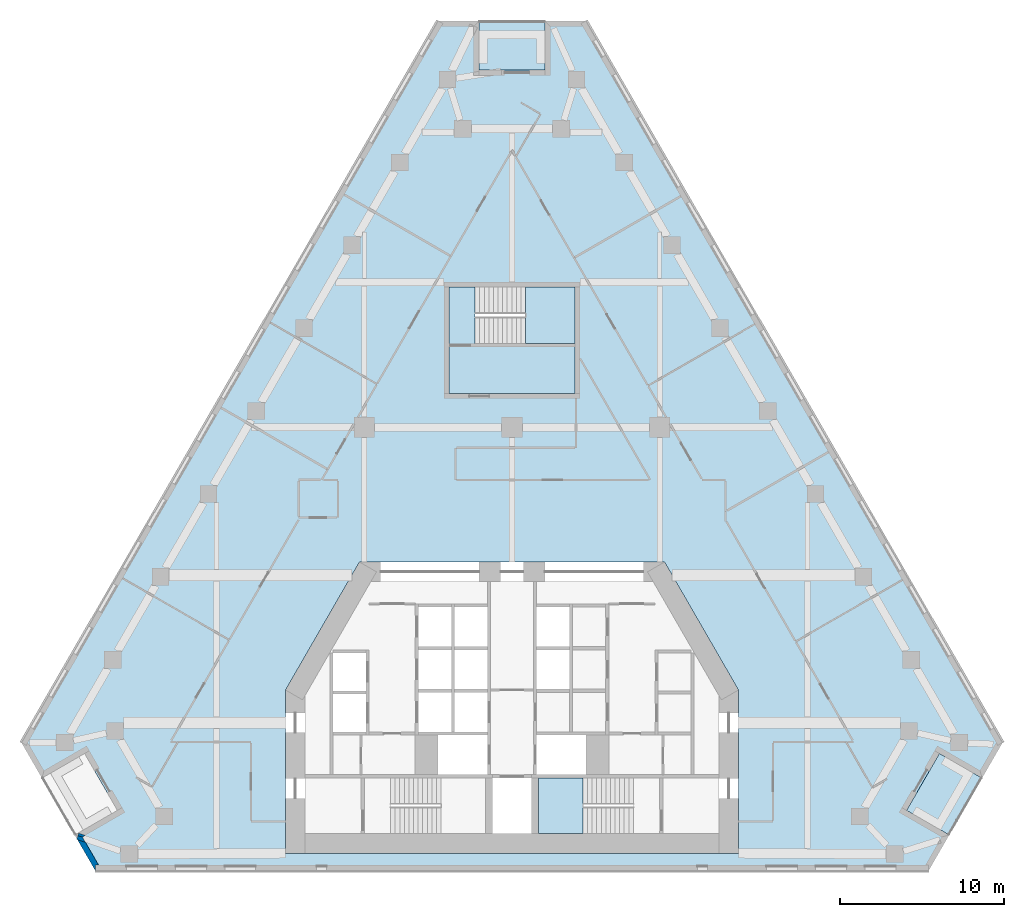
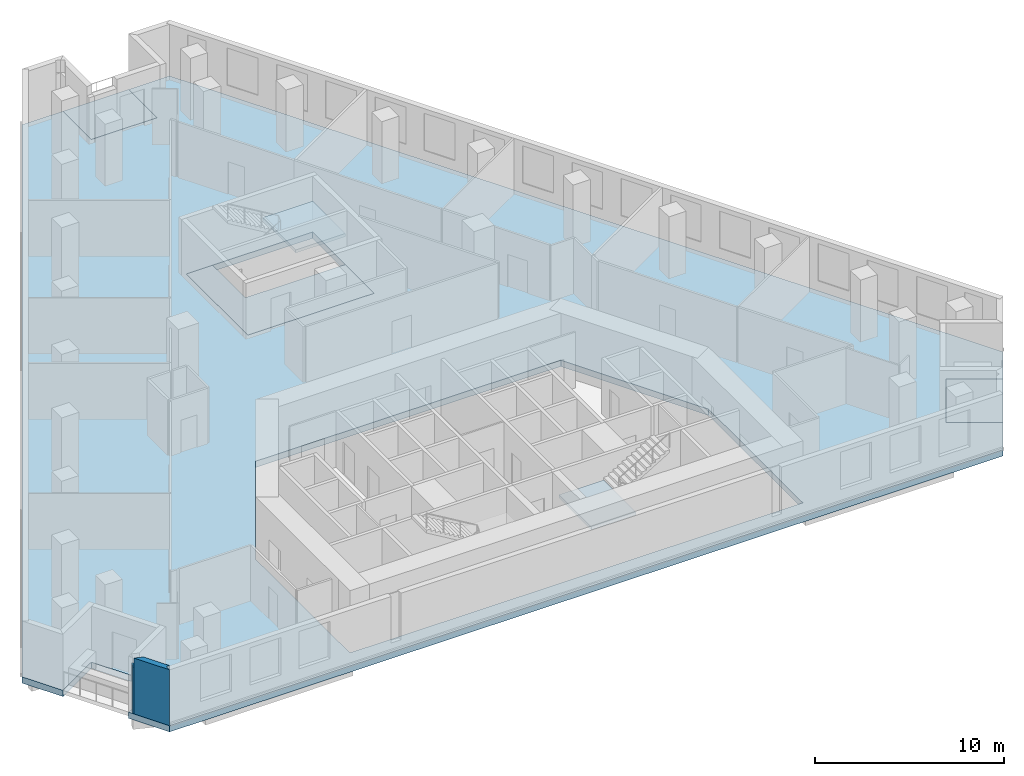
# One storey, part 2 of 10: 6 slabs, 3 walls, 2 elements without a shape of their own.
"""IFC4 building model written with IfcOpenShell, lengths in metres."""

from ifc_helpers import new_model, si_unit, direction, frame, origin, place, context, subcontext, project, spatial, polyline, outline, extrude, material, layer, layer_set, type_object, element, aggregate, save


model = new_model("IFC4")

# Units and contexts
model_context = context("Model", 3, precision=1e-05, world=origin(), true_north=direction((0.0, 1.0)))
body_context = subcontext(model_context, "Body", "Model", "MODEL_VIEW")
ifc_project = project(units=[si_unit("LENGTHUNIT", "METRE"), si_unit("AREAUNIT", "SQUARE_METRE"), si_unit("VOLUMEUNIT", "CUBIC_METRE"), si_unit("PLANEANGLEUNIT", "RADIAN"), si_unit("MASSUNIT", "GRAM", prefix="KILO")], contexts=[model_context])

# Site, building, storey
site_placement = place(None, origin())
site = spatial("IfcSite", under=ifc_project, at=site_placement, CompositionType="ELEMENT")
building_placement = place(site_placement, origin())
building = spatial("IfcBuilding", under=site, at=building_placement, Name="Fogline Exchange Tower", CompositionType="ELEMENT")
storey_placement = place(building_placement, frame((0.0, 0.0, 120.10009765625)))
storey = spatial("IfcBuildingStorey", under=building, at=storey_placement, Name="L26", CompositionType="ELEMENT", Elevation=120.10009765625)

# Slabs
ifc_material_1 = material(Name="Concrete C40", Category="concrete")
ifc_layer_1 = layer(ifc_material_1, 0.25)
ifc_layer_set_1 = layer_set([ifc_layer_1], Name="DK1")
slab_type_1 = type_object("IfcSlabType", Name="DK1", PredefinedType="FLOOR", material=ifc_layer_set_1)
slab_1_placement = place(storey_placement, frame((0.0, 0.0, -0.25)))
element("IfcSlab", 1, at=slab_1_placement, inside=storey, type_object=slab_type_1, Name="Balcony L26 SE", PredefinedType="FLOOR", context=body_context, shape_type="SweptSolid", body=[
    extrude(outline(polyline([(26.643310546875, 2.1650390625), (28.643310546875, 5.629150390625), (26.045166015625, 7.129150390625), (24.045166015625, 3.6650390625), (26.643310546875, 2.1650390625)])), origin(), (0.0, 0.0, 1.0), 0.25),
])
slab_2_placement = place(storey_placement, frame((0.0, 0.0, -0.25)))
element("IfcSlab", 2, at=slab_2_placement, inside=storey, type_object=slab_type_1, Name="Balcony L26 N", PredefinedType="FLOOR", context=body_context, shape_type="SweptSolid", body=[
    extrude(outline(polyline([(2.0, 51.776611328125), (-2.0, 51.776611328125), (-2.0, 48.776611328125), (2.0, 48.776611328125), (2.0, 51.776611328125)])), origin(), (0.0, 0.0, 1.0), 0.25),
])
ifc_layer_2 = layer(ifc_material_1, 0.39990234375)
ifc_layer_set_2 = layer_set([ifc_layer_2], Name="S03")
slab_type_2 = type_object("IfcSlabType", Name="S03", PredefinedType="FLOOR", material=ifc_layer_set_2)
slab_3_placement = place(storey_placement, frame((0.0, 0.0, -0.400146484375)))
element("IfcSlab", 3, at=slab_3_placement, inside=storey, type_object=slab_type_2, Name="SLAB L26", PredefinedType="FLOOR", context=body_context, shape_type="SweptSolid", body=[
    extrude(outline(polyline([(-2.0, 51.776611328125), (-4.5, 51.776611328125), (-29.893310546875, 7.794189453125), (-28.643310546875, 5.629150390625), (-26.045166015625, 7.129150390625), (-24.045166015625, 3.6650390625), (-26.643310546875, 2.1650390625), (-25.393310546875, 0.0), (25.393310546875, 0.0), (26.643310546875, 2.1650390625), (24.045166015625, 3.6650390625), (26.045166015625, 7.129150390625), (28.643310546875, 5.629150390625), (29.893310546875, 7.794189453125), (4.5, 51.776611328125), (2.0, 51.776611328125), (2.0, 48.776611328125), (-2.0, 48.776611328125), (-2.0, 51.776611328125)]), holes=[polyline([(13.800048828125, 10.9990234375), (13.800048828125, 1.050048828125), (-13.800048828125, 1.050048828125), (-13.800048828125, 10.9990234375), (-9.296142578125, 18.800048828125), (9.296142578125, 18.800048828125), (13.800048828125, 10.9990234375)]), polyline([(3.85009765625, 35.556884765625), (3.85009765625, 29.056884765625), (-3.85009765625, 29.056884765625), (-3.85009765625, 35.556884765625), (3.85009765625, 35.556884765625)])]), origin(), (0.0, 0.0, 1.0), 0.400146484375),
])
slab_4_placement = place(storey_placement, frame((0.0, 0.0, -0.400146484375)))
element("IfcSlab", 4, at=slab_4_placement, inside=storey, type_object=slab_type_2, Name="Stair enclosure floor slab", PredefinedType="FLOOR", context=body_context, shape_type="SweptSolid", body=[
    extrude(outline(polyline([(3.85009765625, 29.056884765625), (-3.85009765625, 29.056884765625), (-3.85009765625, 35.556884765625), (-2.239990234375, 35.556884765625), (-2.239990234375, 32.10693359375), (3.85009765625, 32.10693359375), (3.85009765625, 29.056884765625)])), origin(), (0.0, 0.0, 1.0), 0.400146484375),
])

# Stair, slab
stair_type = type_object("IfcStairType", Name="STR24-1667", PredefinedType="HALF_TURN_STAIR", material=ifc_material_1)
stair_1_placement = place(storey_placement, origin())
stair_1 = element("IfcStair", 5, at=stair_1_placement, inside=storey, type_object=stair_type, Name="Stair ST2", PredefinedType="HALF_TURN_STAIR")
ifc_layer_3 = layer(ifc_material_1, 0.199951171875)
ifc_layer_set_3 = layer_set([ifc_layer_3], Name="SL200")
slab_type_3 = type_object("IfcSlabType", Name="SL200", PredefinedType="LANDING", material=ifc_layer_set_3)
slab_5_placement = place(storey_placement, frame((0.0, 0.0, 1.7998046875)))
slab_5 = element("IfcSlab", 6, at=slab_5_placement, type_object=slab_type_3, Name="ST2 landing 1", PredefinedType="LANDING", context=body_context, shape_type="SweptSolid", body=[
    extrude(outline(polyline([(1.60009765625, 2.25), (4.320068359375, 2.25), (4.320068359375, 5.64990234375), (1.60009765625, 5.64990234375), (1.60009765625, 2.25)])), origin(), (0.0, 0.0, 1.0), 0.2001953125),
])
aggregate(stair_1, [slab_5])

stair_2_placement = place(storey_placement, origin())
stair_2 = element("IfcStair", 7, at=stair_2_placement, inside=storey, type_object=stair_type, Name="Stair ST3", PredefinedType="HALF_TURN_STAIR")
slab_6_placement = place(storey_placement, frame((0.0, 0.0, 1.7998046875)))
slab_6 = element("IfcSlab", 8, at=slab_6_placement, type_object=slab_type_3, Name="ST3 landing 1", PredefinedType="LANDING", context=body_context, shape_type="SweptSolid", body=[
    extrude(outline(polyline([(0.830078125, 32.10693359375), (3.85009765625, 32.10693359375), (3.85009765625, 35.556884765625), (0.830078125, 35.556884765625), (0.830078125, 32.10693359375)])), origin(), (0.0, 0.0, 1.0), 0.2001953125),
])
aggregate(stair_2, [slab_6])

# Walls
ifc_material_2 = material(Name="Brick masonry", Category="masonry")
ifc_layer_4 = layer(ifc_material_2, 0.340087890625)
ifc_layer_set_4 = layer_set([ifc_layer_4], Name="FW1")
wall_type = type_object("IfcWallType", Name="FW1", PredefinedType="SOLIDWALL", material=ifc_layer_set_4)
wall_1_placement = place(storey_placement, origin())
element("IfcWall", 9, at=wall_1_placement, inside=storey, type_object=wall_type, Name="Brick wall L26 SW-s2", PredefinedType="SOLIDWALL", context=body_context, shape_type="SweptSolid", body=[
    extrude(outline(polyline([(-26.1787109375, 2.0400390625), (-26.458984375, 2.114990234375), (-26.402587890625, 2.277587890625), (-26.005615234375, 2.139892578125), (-26.1787109375, 2.0400390625)])), origin(), (0.0, 0.0, 1.0), 3.0),
])
wall_2_placement = place(storey_placement, origin())
element("IfcWall", 10, at=wall_2_placement, inside=storey, type_object=wall_type, Name="Brick wall L26 SW-c2", PredefinedType="SOLIDWALL", context=body_context, shape_type="SweptSolid", body=[
    extrude(outline(polyline([(-26.517578125, 1.946044921875), (-26.45849609375, 2.1162109375), (-26.178466796875, 2.041015625), (-25.987548828125, 1.71044921875), (-26.47998046875, 1.881103515625), (-26.517578125, 1.946044921875)])), origin(), (0.0, 0.0, 1.0), 3.0),
])
wall_3_placement = place(storey_placement, origin())
element("IfcWall", 11, at=wall_3_placement, inside=storey, type_object=wall_type, Name="Brick wall L26 SW-c2", PredefinedType="SOLIDWALL", context=body_context, shape_type="SweptSolid", body=[
    extrude(outline(polyline([(-25.392578125, 0.33935546875), (-25.392578125, -0.0009765625), (-25.393310546875, -0.001220703125), (-26.47998046875, 1.881103515625), (-25.987548828125, 1.71044921875), (-25.196044921875, 0.33935546875), (-25.392578125, 0.33935546875)])), origin(), (0.0, 0.0, 1.0), 3.599853515625),
])

save(model, "model.ifc")
